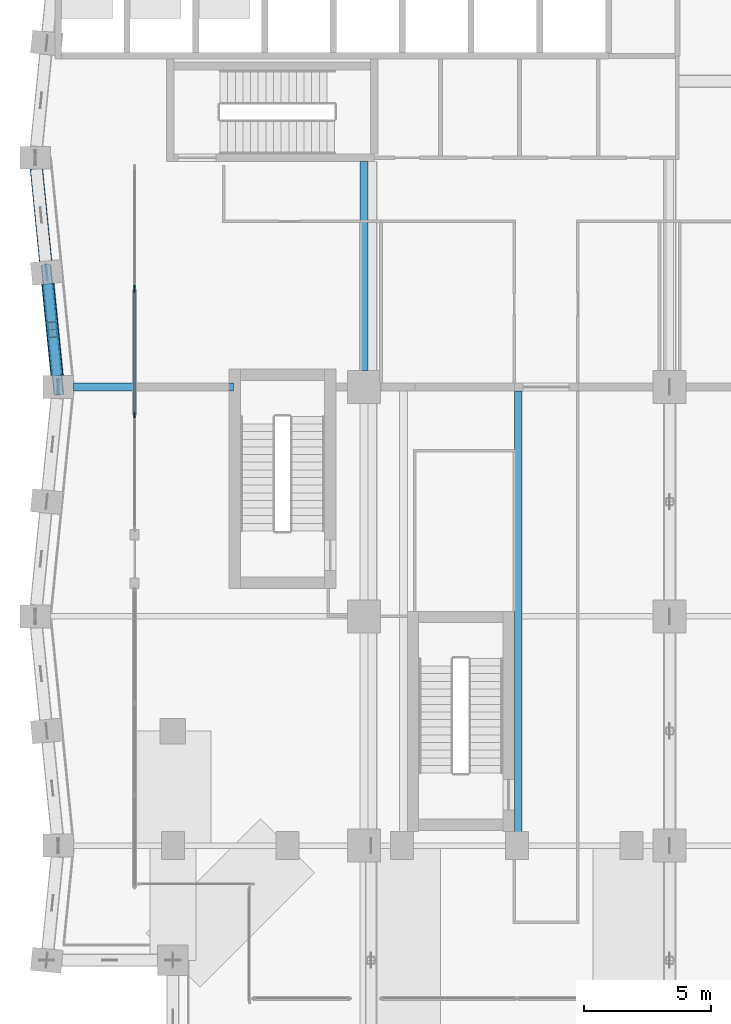
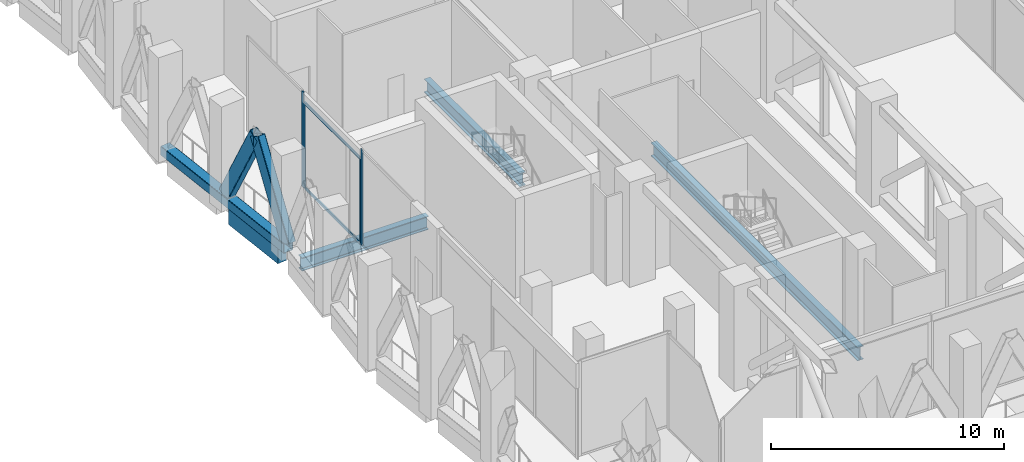
# One storey, part 7 of 37: 9 members, 4 beams, 3 elements without a shape of their own.
"""IFC4 building model written with IfcOpenShell, lengths in metres."""

from ifc_helpers import new_model, si_unit, direction, frame, origin, origin_2d, place, context, subcontext, project, spatial, rectangle, hollow_rectangle, i_section, extrude, material, material_profile, profile_set, type_object, element, aggregate, save


model = new_model("IFC4")

# Units and contexts
model_context = context("Model", 3, precision=1e-05, world=origin(), true_north=direction((0.0, 1.0)))
body_context = subcontext(model_context, "Body", "Model", "MODEL_VIEW")
ifc_project = project(units=[si_unit("LENGTHUNIT", "METRE"), si_unit("AREAUNIT", "SQUARE_METRE"), si_unit("VOLUMEUNIT", "CUBIC_METRE"), si_unit("PLANEANGLEUNIT", "RADIAN"), si_unit("MASSUNIT", "GRAM", prefix="KILO")], contexts=[model_context])

# Site, building, storey
site_placement = place(None, origin())
site = spatial("IfcSite", under=ifc_project, at=site_placement, CompositionType="ELEMENT")
building_placement = place(site_placement, origin())
building = spatial("IfcBuilding", under=site, at=building_placement, Name="Brondeck Convention Tower", CompositionType="ELEMENT")
storey_placement = place(building_placement, frame((0.0, 0.0, 137.89990234375)))
storey = spatial("IfcBuildingStorey", under=building, at=storey_placement, Name="L33", CompositionType="ELEMENT", Elevation=137.89990234375)

# Curtain wall, member
ifc_material_1 = material(Name="Aluminium, bronze anodised", Category="aluminium")
curtain_wall_type = type_object("IfcCurtainWallType", Name="Sky lobby curtain wall", PredefinedType="NOTDEFINED", material=ifc_material_1)
curtain_wall_1_placement = place(storey_placement, origin())
curtain_wall_1 = element("IfcCurtainWall", 1, at=curtain_wall_1_placement, inside=storey, type_object=curtain_wall_type, Name="ENV-L33-029-CW30", PredefinedType="NOTDEFINED")
ifc_material_profile_1 = material_profile(ifc_material_1, rectangle(XDim=0.06005859375, YDim=0.159912109375, at=origin_2d()), Name="CW3 mullion")
ifc_profile_set_1 = profile_set([ifc_material_profile_1], Name="Aluminium, bronze anodised")
member_type_1 = type_object("IfcMemberType", Name="CW3 mullion", PredefinedType="MULLION", material=ifc_profile_set_1)
member_1_placement = place(storey_placement, frame((3.0, 30.909912109375, 0.0), z_axis=(0.0, 0.0, 1.0), x_axis=(-1.0, 0.0, 0.0)))
member_1 = element("IfcMember", 2, at=member_1_placement, type_object=member_type_1, Name="CW3 mullion 1", PredefinedType="MULLION", context=body_context, shape_type="SweptSolid", body=[
    extrude(rectangle(XDim=0.06005859375, YDim=0.159912109375, at=origin_2d()), origin(), (0.0, 0.0, 1.0), 5.0),
])
aggregate(curtain_wall_1, [member_1])

# Curtain wall, members
curtain_wall_2_placement = place(storey_placement, origin())
curtain_wall_2 = element("IfcCurtainWall", 3, at=curtain_wall_2_placement, inside=storey, type_object=curtain_wall_type, Name="ENV-L33-029-CW31", PredefinedType="NOTDEFINED")
member_2_placement = place(storey_placement, frame((3.0, 25.929931640625, 0.0), z_axis=(0.0, 0.0, 1.0), x_axis=(-1.0, 0.0, 0.0)))
member_2 = element("IfcMember", 4, at=member_2_placement, type_object=member_type_1, Name="CW3 mullion 1", PredefinedType="MULLION", context=body_context, shape_type="SweptSolid", body=[
    extrude(rectangle(XDim=0.06005859375, YDim=0.159912109375, at=origin_2d()), origin(), (0.0, 0.0, 1.0), 4.5),
])
member_3_placement = place(storey_placement, frame((3.0, 30.7900390625, 0.0), z_axis=(0.0, 0.0, 1.0), x_axis=(-1.0, 0.0, 0.0)))
member_3 = element("IfcMember", 5, at=member_3_placement, type_object=member_type_1, Name="CW3 mullion 2", PredefinedType="MULLION", context=body_context, shape_type="SweptSolid", body=[
    extrude(rectangle(XDim=0.06005859375, YDim=0.159912109375, at=origin_2d()), origin(), (0.0, 0.0, 1.0), 4.5),
])

# Curtain wall, member
curtain_wall_3_placement = place(storey_placement, origin())
curtain_wall_3 = element("IfcCurtainWall", 6, at=curtain_wall_3_placement, inside=storey, type_object=curtain_wall_type, Name="ENV-L33-030-CW30", PredefinedType="NOTDEFINED")
member_4_placement = place(storey_placement, frame((3.0, 25.8701171875, 0.0), z_axis=(0.0, 0.0, 1.0), x_axis=(-1.0, 0.0, 0.0)))
member_4 = element("IfcMember", 7, at=member_4_placement, type_object=member_type_1, Name="CW3 mullion 2", PredefinedType="MULLION", context=body_context, shape_type="SweptSolid", body=[
    extrude(rectangle(XDim=0.06005859375, YDim=0.159912109375, at=origin_2d()), origin(), (0.0, 0.0, 1.0), 5.0),
])
aggregate(curtain_wall_3, [member_4])

# Member
ifc_material_profile_2 = material_profile(ifc_material_1, rectangle(XDim=0.06005859375, YDim=0.139892578125, at=origin_2d()), Name="CW3 transom")
ifc_profile_set_2 = profile_set([ifc_material_profile_2], Name="Aluminium, bronze anodised")
member_type_2 = type_object("IfcMemberType", Name="CW3 transom", PredefinedType="USERDEFINED", material=ifc_profile_set_2)
member_5_placement = place(storey_placement, frame((3.0, 25.9599609375, 0.030029296875), z_axis=(0.0, 1.0, 0.0), x_axis=(-1.0, 0.0, 0.0)))
member_5 = element("IfcMember", 8, at=member_5_placement, type_object=member_type_2, Name="CW3 transom 1.1", ObjectType="TRANSOM", PredefinedType="USERDEFINED", context=body_context, shape_type="SweptSolid", body=[
    extrude(rectangle(XDim=0.06005859375, YDim=0.139892578125, at=origin_2d()), origin(), (0.0, 0.0, 1.0), 4.800048828125),
])

member_6_placement = place(storey_placement, frame((3.0, 25.9599609375, 4.47021484375), z_axis=(0.0, 1.0, 0.0), x_axis=(-1.0, 0.0, 0.0)))
member_6 = element("IfcMember", 9, at=member_6_placement, type_object=member_type_2, Name="CW3 transom 1.2", ObjectType="TRANSOM", PredefinedType="USERDEFINED", context=body_context, shape_type="SweptSolid", body=[
    extrude(rectangle(XDim=0.06005859375, YDim=0.139892578125, at=origin_2d()), origin(), (0.0, 0.0, 1.0), 4.800048828125),
])

aggregate(curtain_wall_2, [member_2, member_3, member_5, member_6])

# Members
ifc_material_2 = material(Name="Steel S460", Category="steel")
ifc_material_profile_3 = material_profile(ifc_material_2, hollow_rectangle(XDim=0.39990234375, YDim=0.699951171875, WallThickness=0.030029296875, InnerFilletRadius=0.030029296875, OuterFilletRadius=0.06005859375, at=origin_2d()), Name="RHS 700x400x30")
ifc_profile_set_3 = profile_set([ifc_material_profile_3], Name="Steel S460")
member_type_3 = type_object("IfcMemberType", Name="Chevron brace RHS 700x400x30", PredefinedType="BRACE", material=ifc_profile_set_3)
for number, where, z_axis, x_axis, name in (
    (10, (-0.449951171875, 31.5, 0.5), (0.045863256892, -0.458931352356, 0.887287200117), (0.995043602151, 0.099439578731, 0.0), "Belt truss BT-33-53 diagonal"),
    (11, (0.0, 27.0, 0.5), (-0.045912949215, 0.458930303654, 0.887285172581), (-0.995032913332, -0.099546478526, 0.0), "Belt truss BT-33-53 diagonal"),
):
    element("IfcMember", number, at=place(storey_placement, frame(where, z_axis=z_axis, x_axis=x_axis)), inside=storey, type_object=member_type_3, Name=name, PredefinedType="BRACE", context=body_context, shape_type="SweptSolid", body=[
        extrude(hollow_rectangle(XDim=0.39990234375, YDim=0.699951171875, WallThickness=0.030029296875, InnerFilletRadius=0.030029296875, OuterFilletRadius=0.06005859375, at=origin_2d()), origin(), (0.0, 0.0, 1.0), 4.902587890625),
    ])

# Beams
ifc_material_3 = material(Name="Steel S355", Category="steel")
ifc_material_profile_4 = material_profile(ifc_material_3, i_section(OverallWidth=0.300048828125, OverallDepth=0.699951171875, WebThickness=0.01708984375, FlangeThickness=0.031982421875, FilletRadius=0.027099609375, at=origin_2d()), Name="HEB 700")
ifc_profile_set_4 = profile_set([ifc_material_profile_4], Name="Steel S355")
beam_type_1 = type_object("IfcBeamType", Name="Girder HEB 700", PredefinedType="BEAM", material=ifc_profile_set_4)
beam_1_placement = place(storey_placement, frame((12.0, 35.85009765625, -0.7998046875), z_axis=(0.0, -1.0, 0.0), x_axis=(1.0, 0.0, 0.0)))
element("IfcBeam", 12, at=beam_1_placement, inside=storey, type_object=beam_type_1, Name="STR-GR-L33-013", PredefinedType="BEAM", context=body_context, shape_type="SweptSolid", body=[
    extrude(i_section(OverallWidth=0.300048828125, OverallDepth=0.699951171875, WebThickness=0.01708984375, FlangeThickness=0.031982421875, FilletRadius=0.027099609375, at=origin_2d()), origin(), (0.0, 0.0, 1.0), 8.2001953125),
])
beam_2_placement = place(storey_placement, frame((0.60009765625, 27.0, -0.7998046875), z_axis=(1.0, 0.0, 0.0), x_axis=(0.0, 1.0, 0.0)))
element("IfcBeam", 13, at=beam_2_placement, inside=storey, type_object=beam_type_1, Name="STR-GR-L33-021", PredefinedType="BEAM", context=body_context, shape_type="SweptSolid", body=[
    extrude(i_section(OverallWidth=0.300048828125, OverallDepth=0.699951171875, WebThickness=0.01708984375, FlangeThickness=0.031982421875, FilletRadius=0.027099609375, at=origin_2d()), origin(), (0.0, 0.0, 1.0), 6.27978515625),
])
beam_3_placement = place(storey_placement, frame((18.050048828125, 9.110107421875, -0.7998046875), z_axis=(0.0, 1.0, 0.0), x_axis=(-1.0, 0.0, 0.0)))
element("IfcBeam", 14, at=beam_3_placement, inside=storey, type_object=beam_type_1, Name="STR-GR-L33-027", PredefinedType="BEAM", context=body_context, shape_type="SweptSolid", body=[
    extrude(i_section(OverallWidth=0.300048828125, OverallDepth=0.699951171875, WebThickness=0.01708984375, FlangeThickness=0.031982421875, FilletRadius=0.027099609375, at=origin_2d()), origin(), (0.0, 0.0, 1.0), 17.739990234375),
])
ifc_material_4 = material(Name="Concrete C70/85", Category="concrete")
ifc_material_profile_5 = material_profile(ifc_material_4, rectangle(XDim=0.449951171875, YDim=0.800048828125, at=origin_2d()), Name="Precast spandrel 450x800 Concrete C70/85")
ifc_profile_set_5 = profile_set([ifc_material_profile_5], Name="Concrete C70/85")
beam_type_2 = type_object("IfcBeamType", Name="Precast spandrel 450x800 Concrete C70/85", PredefinedType="SPANDREL", material=ifc_profile_set_5)
beam_4_placement = place(storey_placement, frame((-0.4052734375, 31.05224609375, -0.39990234375), z_axis=(0.099537103649, -0.995033851182, 0.0), x_axis=(0.995033851182, 0.099537103649, 0.0)))
element("IfcBeam", 15, at=beam_4_placement, inside=storey, type_object=beam_type_2, Name="STR-SP-L33-053", PredefinedType="SPANDREL", context=body_context, shape_type="SweptSolid", body=[
    extrude(rectangle(XDim=0.449951171875, YDim=0.800048828125, at=origin_2d()), origin(), (0.0, 0.0, 1.0), 3.620361328125),
])

# Member
ifc_material_profile_6 = material_profile(ifc_material_2, hollow_rectangle(XDim=0.5, YDim=0.5, WallThickness=0.02490234375, InnerFilletRadius=0.02490234375, OuterFilletRadius=0.050048828125, at=origin_2d()), Name="RHS 500x500x25")
ifc_profile_set_6 = profile_set([ifc_material_profile_6], Name="Steel S460")
member_type_4 = type_object("IfcMemberType", Name="Truss chord RHS 500x500x25", PredefinedType="CHORD", material=ifc_profile_set_6)
member_7_placement = place(storey_placement, frame((-0.89990234375, 36.0, 0.25), z_axis=(0.099493029059, -0.995038259148, 0.0), x_axis=(0.995038259148, 0.099493029059, 0.0)))
element("IfcMember", 16, at=member_7_placement, inside=storey, type_object=member_type_4, Name="Belt truss BT-33-29 chord", PredefinedType="CHORD", context=body_context, shape_type="SweptSolid", body=[
    extrude(hollow_rectangle(XDim=0.5, YDim=0.5, WallThickness=0.02490234375, InnerFilletRadius=0.02490234375, OuterFilletRadius=0.050048828125, at=origin_2d()), origin(), (0.0, 0.0, 1.0), 9.044921875),
])

save(model, "model.ifc")
